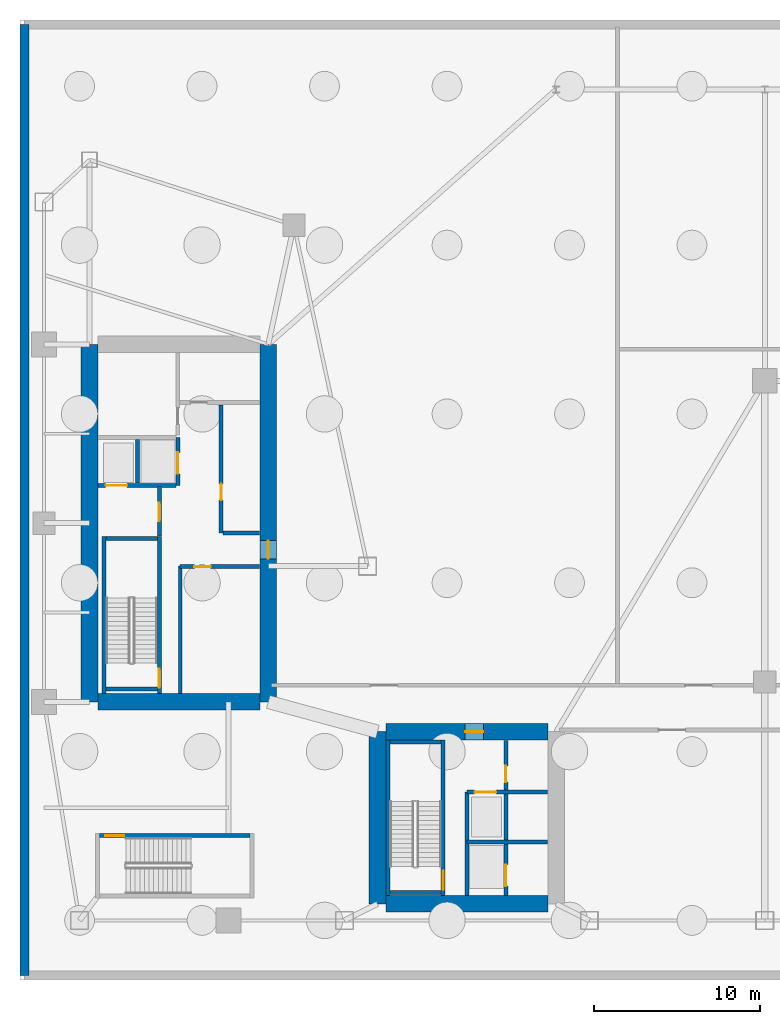
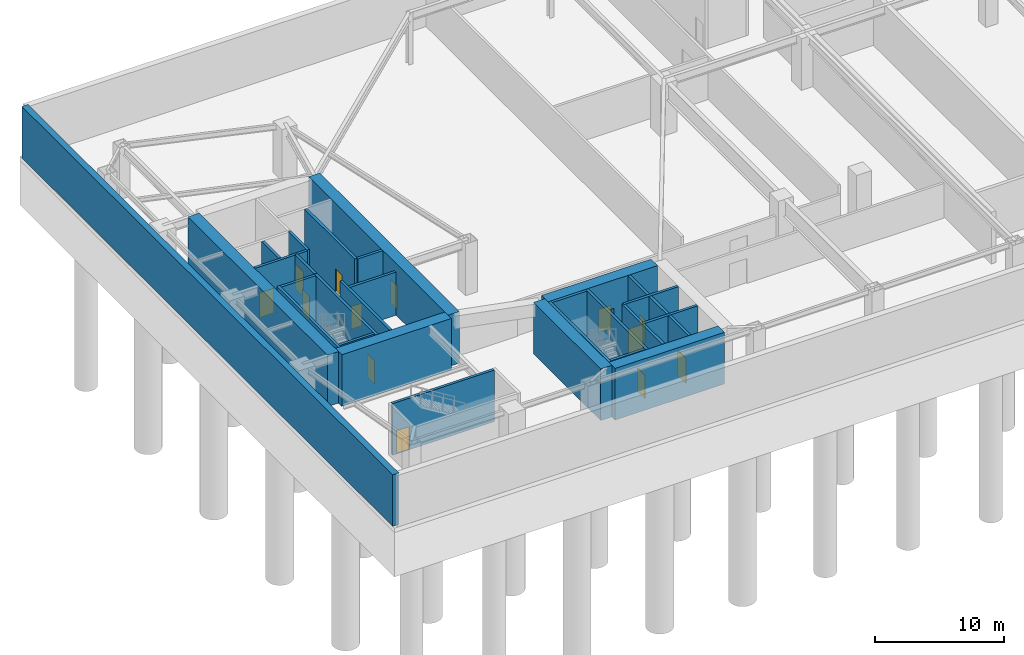
# One storey, part 5 of 12: 28 walls, 13 doors, 13 openings.
"""IFC4 building model written with IfcOpenShell, lengths in metres."""

from ifc_helpers import new_model, si_unit, direction, frame, frame_2d, origin, place, context, subcontext, project, spatial, rectangle, extrude, material, layer, layer_set, type_object, element, fill, save


model = new_model("IFC4")

# Units and contexts
model_context = context("Model", 3, precision=1e-05, world=origin(), true_north=direction((0.0, 1.0)))
body_context = subcontext(model_context, "Body", "Model", "MODEL_VIEW")
ifc_project = project(units=[si_unit("LENGTHUNIT", "METRE"), si_unit("AREAUNIT", "SQUARE_METRE"), si_unit("VOLUMEUNIT", "CUBIC_METRE"), si_unit("PLANEANGLEUNIT", "RADIAN"), si_unit("MASSUNIT", "GRAM", prefix="KILO")], contexts=[model_context])

# Site, building, storey
site_placement = place(None, origin())
site = spatial("IfcSite", under=ifc_project, at=site_placement, CompositionType="ELEMENT")
building_placement = place(site_placement, origin())
building = spatial("IfcBuilding", under=site, at=building_placement, Name="Calvorn Quay Hotel", CompositionType="ELEMENT")
storey_placement = place(building_placement, frame((0.0, 0.0, -10.39990234375)))
storey = spatial("IfcBuildingStorey", under=building, at=storey_placement, Name="B2", CompositionType="ELEMENT", Elevation=-10.39990234375)

# Walls
ifc_material_1 = material(Name="Concrete C45", Category="concrete")
ifc_layer_1 = layer(ifc_material_1, 0.550048828125)
ifc_layer_set_1 = layer_set([ifc_layer_1], Name="WL-BSM-RET-550")
wall_type_1 = type_object("IfcWallType", Name="WL-BSM-RET-550", PredefinedType="USERDEFINED", material=ifc_layer_set_1)
wall_1_placement = place(storey_placement, frame((0.280029296875, 57.719970703125, 0.0), z_axis=(0.0, 0.0, 1.0), x_axis=(0.0, -1.0, 0.0)))
element("IfcWall", 1, at=wall_1_placement, inside=storey, type_object=wall_type_1, Name="B2 Retaining Wall W", ObjectType="RETAINING", PredefinedType="USERDEFINED", context=body_context, shape_type="SweptSolid", body=[
    extrude(rectangle(XDim=57.43994140625, YDim=0.550048828125, at=frame_2d((28.719970703125, 0.0))), origin(), (0.0, 0.0, 1.0), 4.8798828125),
])
ifc_material_2 = material(Name="Concrete C60", Category="concrete")
ifc_layer_2 = layer(ifc_material_2, 1.0)
ifc_layer_set_2 = layer_set([ifc_layer_2], Name="WL-CORE-1000")
wall_type_2 = type_object("IfcWallType", Name="WL-CORE-1000", PredefinedType="SHEAR", material=ifc_layer_set_2)
wall_2_placement = place(storey_placement, frame((4.199951171875, 16.800048828125, 0.0), z_axis=(0.0, 0.0, 1.0), x_axis=(0.0, 1.0, 0.0)))
element("IfcWall", 2, at=wall_2_placement, inside=storey, type_object=wall_type_2, Name="West Core Shear Wall W (B2)", PredefinedType="SHEAR", context=body_context, shape_type="SweptSolid", body=[
    extrude(rectangle(XDim=21.599853515625, YDim=1.0, at=frame_2d((10.7998046875, 0.0))), origin(), (0.0, 0.0, 1.0), 4.8798828125),
])

# Wall, opening, door
wall_3_placement = place(storey_placement, frame((15.0, 16.800048828125, 0.0), z_axis=(0.0, 0.0, 1.0), x_axis=(0.0, 1.0, 0.0)))
wall_3 = element("IfcWall", 3, at=wall_3_placement, inside=storey, type_object=wall_type_2, Name="West Core Shear Wall E (B2)", PredefinedType="SHEAR", context=body_context, shape_type="SweptSolid", body=[
    extrude(rectangle(XDim=21.599853515625, YDim=1.0, at=frame_2d((10.7998046875, 0.0))), origin(), (0.0, 0.0, 1.0), 4.8798828125),
])
opening_1_placement = place(wall_3_placement, frame((8.64990234375, 0.0, 0.0)))
opening_1 = element("IfcOpeningElement", 4, at=opening_1_placement, cuts=wall_3, Name="Opening D-B2-CW1", PredefinedType="OPENING", context=body_context, shape_type="SweptSolid", body=[
    extrude(rectangle(XDim=1.10009765625, YDim=2.199951171875, at=frame_2d((0.550048828125, 1.10009765625))), frame((0.0, 0.510009765625, 0.0), z_axis=(0.0, -1.0, 0.0), x_axis=(1.0, 0.0, 0.0)), (0.0, 0.0, 1.0), 1.02001953125),
])
ifc_material_3 = material(Name="Smoke-Sealed Steel Class A Fire Door", Category="steel")
door_type_1 = type_object("IfcDoorType", Name="DR-FFLOBBY-1100", OperationType="NOTDEFINED", PredefinedType="DOOR", material=ifc_material_3)
door_1_placement = place(opening_1_placement, origin())
door_1 = element("IfcDoor", 5, at=door_1_placement, inside=storey, type_object=door_type_1, Name="West Core Vestibule Fire Door (B2)", OperationType="SINGLE_SWING_LEFT", OverallHeight=2.199951171875, OverallWidth=1.10009765625, PredefinedType="DOOR", context=body_context, shape_type="SweptSolid", body=[
    extrude(rectangle(XDim=1.10009765625, YDim=2.199951171875, at=frame_2d((0.550048828125, 1.10009765625))), frame((0.0, 0.02490234375, 0.0), z_axis=(0.0, -1.0, 0.0), x_axis=(1.0, 0.0, 0.0)), (0.0, 0.0, 1.0), 0.050048828125),
])
fill(opening_1, door_1)

# Walls
wall_4_placement = place(storey_placement, frame((4.699951171875, 16.800048828125, 0.0), z_axis=(0.0, 0.0, 1.0), x_axis=(1.0, 0.0, 0.0)))
element("IfcWall", 6, at=wall_4_placement, inside=storey, type_object=wall_type_2, Name="West Core Shear Wall S (B2)", PredefinedType="SHEAR", context=body_context, shape_type="SweptSolid", body=[
    extrude(rectangle(XDim=9.800048828125, YDim=1.0, at=frame_2d((4.89990234375, 0.0))), origin(), (0.0, 0.0, 1.0), 4.8798828125),
])
wall_5_placement = place(storey_placement, frame((21.60009765625, 4.60009765625, 0.0), z_axis=(0.0, 0.0, 1.0), x_axis=(0.0, 1.0, 0.0)))
element("IfcWall", 7, at=wall_5_placement, inside=storey, type_object=wall_type_2, Name="East Core Shear Wall W (B2)", PredefinedType="SHEAR", context=body_context, shape_type="SweptSolid", body=[
    extrude(rectangle(XDim=10.39990234375, YDim=1.0, at=frame_2d((5.199951171875, 0.0))), origin(), (0.0, 0.0, 1.0), 4.8798828125),
])

# Wall, opening, door
wall_6_placement = place(storey_placement, frame((22.10009765625, 15.0, 0.0), z_axis=(0.0, 0.0, 1.0), x_axis=(1.0, 0.0, 0.0)))
wall_6 = element("IfcWall", 8, at=wall_6_placement, inside=storey, type_object=wall_type_2, Name="East Core Shear Wall N (B2)", PredefinedType="SHEAR", context=body_context, shape_type="SweptSolid", body=[
    extrude(rectangle(XDim=9.7998046875, YDim=1.0, at=frame_2d((4.89990234375, 0.0))), origin(), (0.0, 0.0, 1.0), 4.8798828125),
])
opening_2_placement = place(wall_6_placement, frame((4.800048828125, 0.0, 0.0)))
opening_2 = element("IfcOpeningElement", 9, at=opening_2_placement, cuts=wall_6, Name="Opening D-B2-FLE", PredefinedType="OPENING", context=body_context, shape_type="SweptSolid", body=[
    extrude(rectangle(XDim=1.10009765625, YDim=2.199951171875, at=frame_2d((0.550048828125, 1.10009765625))), frame((0.0, 0.510009765625, 0.0), z_axis=(0.0, -1.0, 0.0), x_axis=(1.0, 0.0, 0.0)), (0.0, 0.0, 1.0), 1.02001953125),
])
door_2_placement = place(opening_2_placement, origin())
door_2 = element("IfcDoor", 10, at=door_2_placement, inside=storey, type_object=door_type_1, Name="East Firefighting Lobby Fire Door (B2)", OperationType="SINGLE_SWING_RIGHT", OverallHeight=2.199951171875, OverallWidth=1.10009765625, PredefinedType="DOOR", context=body_context, shape_type="SweptSolid", body=[
    extrude(rectangle(XDim=1.10009765625, YDim=2.199951171875, at=frame_2d((0.550048828125, 1.10009765625))), frame((0.0, 0.02490234375, 0.0), z_axis=(0.0, -1.0, 0.0), x_axis=(1.0, 0.0, 0.0)), (0.0, 0.0, 1.0), 0.050048828125),
])
fill(opening_2, door_2)

# Walls
wall_7_placement = place(storey_placement, frame((22.10009765625, 4.60009765625, 0.0), z_axis=(0.0, 0.0, 1.0), x_axis=(1.0, 0.0, 0.0)))
element("IfcWall", 11, at=wall_7_placement, inside=storey, type_object=wall_type_2, Name="East Core Shear Wall S (B2)", PredefinedType="SHEAR", context=body_context, shape_type="SweptSolid", body=[
    extrude(rectangle(XDim=9.7998046875, YDim=1.0, at=frame_2d((4.89990234375, 0.0))), origin(), (0.0, 0.0, 1.0), 4.8798828125),
])
ifc_material_4 = material(Name="Autoclaved Aerated Masonry Block", Category="masonry")
ifc_layer_3 = layer(ifc_material_4, 0.219970703125)
ifc_layer_set_3 = layer_set([ifc_layer_3], Name="WL-LOBBY-FIRE-220")
wall_type_3 = type_object("IfcWallType", Name="WL-LOBBY-FIRE-220", PredefinedType="SOLIDWALL", material=ifc_layer_set_3)
wall_8_placement = place(storey_placement, frame((9.679931640625, 17.320068359375, 0.0), z_axis=(0.0, 0.0, 1.0), x_axis=(0.0, 1.0, 0.0)))
element("IfcWall", 12, at=wall_8_placement, inside=storey, type_object=wall_type_3, Name="Partition Wall B2-WL-CWW-STW-HALL-E", PredefinedType="SOLIDWALL", context=body_context, shape_type="SweptSolid", body=[
    extrude(rectangle(XDim=7.679931640625, YDim=0.219970703125, at=frame_2d((3.83984375, 0.0))), origin(), (0.0, 0.0, 1.0), 4.8798828125),
])
ifc_material_5 = material(Name="Concrete C40", Category="concrete")
ifc_layer_4 = layer(ifc_material_5, 0.239990234375)
ifc_layer_set_4 = layer_set([ifc_layer_4], Name="WL-SHAFT-240")
wall_type_4 = type_object("IfcWallType", Name="WL-SHAFT-240", PredefinedType="SOLIDWALL", material=ifc_layer_set_4)
wall_9_placement = place(storey_placement, frame((5.080078125, 17.300048828125, 0.0), z_axis=(0.0, 0.0, 1.0), x_axis=(0.0, 1.0, 0.0)))
element("IfcWall", 13, at=wall_9_placement, inside=storey, type_object=wall_type_4, Name="Stair STW Shaft Wall W (B2)", PredefinedType="SOLIDWALL", context=body_context, shape_type="SweptSolid", body=[
    extrude(rectangle(XDim=9.489990234375, YDim=0.239990234375, at=frame_2d((4.7451171875, 0.0))), origin(), (0.0, 0.0, 1.0), 4.8798828125),
])

# Wall, opening, door
wall_10_placement = place(storey_placement, frame((8.419921875, 17.300048828125, 0.0), z_axis=(0.0, 0.0, 1.0), x_axis=(0.0, 1.0, 0.0)))
wall_10 = element("IfcWall", 14, at=wall_10_placement, inside=storey, type_object=wall_type_4, Name="Stair STW Shaft Wall E (B2)", PredefinedType="SOLIDWALL", context=body_context, shape_type="SweptSolid", body=[
    extrude(rectangle(XDim=9.489990234375, YDim=0.239990234375, at=frame_2d((4.7451171875, 0.0))), origin(), (0.0, 0.0, 1.0), 4.8798828125),
])
opening_3_placement = place(wall_10_placement, frame((0.35009765625, 0.0, 0.0)))
opening_3 = element("IfcOpeningElement", 15, at=opening_3_placement, cuts=wall_10, Name="Opening D-B2-STW", PredefinedType="OPENING", context=body_context, shape_type="SweptSolid", body=[
    extrude(rectangle(XDim=1.14990234375, YDim=2.199951171875, at=frame_2d((0.574951171875, 1.10009765625))), frame((0.0, 0.1298828125, 0.0), z_axis=(0.0, -1.0, 0.0), x_axis=(1.0, 0.0, 0.0)), (0.0, 0.0, 1.0), 0.260009765625),
])
ifc_material_6 = material(Name="Galvanised Steel Class A Fire Door", Category="steel")
door_type_2 = type_object("IfcDoorType", Name="DR-STAIR-SMOKE-1150", OperationType="NOTDEFINED", PredefinedType="DOOR", material=ifc_material_6)
door_3_placement = place(opening_3_placement, origin())
door_3 = element("IfcDoor", 16, at=door_3_placement, inside=storey, type_object=door_type_2, Name="Stair ST-W Fire Door (B2)", OperationType="SINGLE_SWING_LEFT", OverallHeight=2.199951171875, OverallWidth=1.14990234375, PredefinedType="DOOR", context=body_context, shape_type="SweptSolid", body=[
    extrude(rectangle(XDim=1.14990234375, YDim=2.199951171875, at=frame_2d((0.574951171875, 1.10009765625))), frame((0.0, 0.02490234375, 0.0), z_axis=(0.0, -1.0, 0.0), x_axis=(1.0, 0.0, 0.0)), (0.0, 0.0, 1.0), 0.050048828125),
])
fill(opening_3, door_3)

# Walls
for number, where, z_axis, x_axis, name in (
    (17, (5.199951171875, 17.580078125, 0.0), (0.0, 0.0, 1.0), (1.0, 0.0, 0.0), "Stair STW Shaft Wall S (B2)"),
    (18, (5.199951171875, 26.669921875, 0.0), (0.0, 0.0, 1.0), (1.0, 0.0, 0.0), "Stair STW Shaft Wall N (B2)"),
):
    element("IfcWall", number, at=place(storey_placement, frame(where, z_axis=z_axis, x_axis=x_axis)), inside=storey, type_object=wall_type_4, Name=name, PredefinedType="SOLIDWALL", context=body_context, shape_type="SweptSolid", body=[
        extrude(rectangle(XDim=3.10009765625, YDim=0.239990234375, at=frame_2d((1.550048828125, 0.0))), origin(), (0.0, 0.0, 1.0), 4.8798828125),
    ])
wall_11_placement = place(storey_placement, frame((22.22998046875, 5.10009765625, 0.0), z_axis=(0.0, 0.0, 1.0), x_axis=(0.0, 1.0, 0.0)))
element("IfcWall", 19, at=wall_11_placement, inside=storey, type_object=wall_type_4, Name="Stair STE Shaft Wall W (B2)", PredefinedType="SOLIDWALL", context=body_context, shape_type="SweptSolid", body=[
    extrude(rectangle(XDim=9.389892578125, YDim=0.239990234375, at=frame_2d((4.69482421875, 0.0))), origin(), (0.0, 0.0, 1.0), 4.8798828125),
])

# Wall, opening, door
wall_12_placement = place(storey_placement, frame((25.570068359375, 5.10009765625, 0.0), z_axis=(0.0, 0.0, 1.0), x_axis=(0.0, 1.0, 0.0)))
wall_12 = element("IfcWall", 20, at=wall_12_placement, inside=storey, type_object=wall_type_4, Name="Stair STE Shaft Wall E (B2)", PredefinedType="SOLIDWALL", context=body_context, shape_type="SweptSolid", body=[
    extrude(rectangle(XDim=9.389892578125, YDim=0.239990234375, at=frame_2d((4.69482421875, 0.0))), origin(), (0.0, 0.0, 1.0), 4.8798828125),
])
opening_4_placement = place(wall_12_placement, frame((0.35009765625, 0.0, 0.0)))
opening_4 = element("IfcOpeningElement", 21, at=opening_4_placement, cuts=wall_12, Name="Opening D-B2-STE", PredefinedType="OPENING", context=body_context, shape_type="SweptSolid", body=[
    extrude(rectangle(XDim=1.14990234375, YDim=2.199951171875, at=frame_2d((0.574951171875, 1.10009765625))), frame((0.0, 0.1298828125, 0.0), z_axis=(0.0, -1.0, 0.0), x_axis=(1.0, 0.0, 0.0)), (0.0, 0.0, 1.0), 0.260009765625),
])
door_4_placement = place(opening_4_placement, origin())
door_4 = element("IfcDoor", 22, at=door_4_placement, inside=storey, type_object=door_type_2, Name="Stair ST-E Fire Door (B2)", OperationType="SINGLE_SWING_RIGHT", OverallHeight=2.199951171875, OverallWidth=1.14990234375, PredefinedType="DOOR", context=body_context, shape_type="SweptSolid", body=[
    extrude(rectangle(XDim=1.14990234375, YDim=2.199951171875, at=frame_2d((0.574951171875, 1.10009765625))), frame((0.0, 0.02490234375, 0.0), z_axis=(0.0, -1.0, 0.0), x_axis=(1.0, 0.0, 0.0)), (0.0, 0.0, 1.0), 0.050048828125),
])
fill(opening_4, door_4)

# Walls
for number, where, z_axis, x_axis, name in (
    (23, (22.35009765625, 5.280029296875, 0.0), (0.0, 0.0, 1.0), (1.0, 0.0, 0.0), "Stair STE Shaft Wall S (B2)"),
    (24, (22.35009765625, 14.3701171875, 0.0), (0.0, 0.0, 1.0), (1.0, 0.0, 0.0), "Stair STE Shaft Wall N (B2)"),
):
    element("IfcWall", number, at=place(storey_placement, frame(where, z_axis=z_axis, x_axis=x_axis)), inside=storey, type_object=wall_type_4, Name=name, PredefinedType="SOLIDWALL", context=body_context, shape_type="SweptSolid", body=[
        extrude(rectangle(XDim=3.099853515625, YDim=0.239990234375, at=frame_2d((1.5498046875, 0.0))), origin(), (0.0, 0.0, 1.0), 4.8798828125),
    ])

# Wall, opening, door
wall_13_placement = place(storey_placement, frame((4.800048828125, 8.719970703125, 0.0), z_axis=(0.0, 0.0, 1.0), x_axis=(1.0, 0.0, 0.0)))
wall_13 = element("IfcWall", 25, at=wall_13_placement, inside=storey, type_object=wall_type_4, Name="Stair STP2 Shaft Wall N (B2)", PredefinedType="SOLIDWALL", context=body_context, shape_type="SweptSolid", body=[
    extrude(rectangle(XDim=9.099853515625, YDim=0.239990234375, at=frame_2d((4.5498046875, 0.0))), origin(), (0.0, 0.0, 1.0), 4.8798828125),
])
opening_5_placement = place(wall_13_placement, frame((0.35009765625, 0.0, 0.0)))
opening_5 = element("IfcOpeningElement", 26, at=opening_5_placement, cuts=wall_13, Name="Opening D-B2-STP2", PredefinedType="OPENING", context=body_context, shape_type="SweptSolid", body=[
    extrude(rectangle(XDim=1.14990234375, YDim=2.199951171875, at=frame_2d((0.574951171875, 1.10009765625))), frame((0.0, 0.1298828125, 0.0), z_axis=(0.0, -1.0, 0.0), x_axis=(1.0, 0.0, 0.0)), (0.0, 0.0, 1.0), 0.260009765625),
])
door_5_placement = place(opening_5_placement, origin())
door_5 = element("IfcDoor", 27, at=door_5_placement, inside=storey, type_object=door_type_2, Name="Podium Stair ST-P2 Fire Door (B2)", OperationType="SINGLE_SWING_RIGHT", OverallHeight=2.199951171875, OverallWidth=1.14990234375, PredefinedType="DOOR", context=body_context, shape_type="SweptSolid", body=[
    extrude(rectangle(XDim=1.14990234375, YDim=2.199951171875, at=frame_2d((0.574951171875, 1.10009765625))), frame((0.0, 0.02490234375, 0.0), z_axis=(0.0, -1.0, 0.0), x_axis=(1.0, 0.0, 0.0)), (0.0, 0.0, 1.0), 0.050048828125),
])
fill(opening_5, door_5)

wall_14_placement = place(storey_placement, frame((8.419921875, 26.820068359375, 0.0), z_axis=(0.0, 0.0, 1.0), x_axis=(0.0, 1.0, 0.0)))
wall_14 = element("IfcWall", 28, at=wall_14_placement, inside=storey, type_object=wall_type_4, Name="Partition Wall B2-WL-CWW-FFL-E", PredefinedType="SOLIDWALL", context=body_context, shape_type="SweptSolid", body=[
    extrude(rectangle(XDim=3.0, YDim=0.239990234375, at=frame_2d((1.5, 0.0))), origin(), (0.0, 0.0, 1.0), 4.8798828125),
])
opening_6_placement = place(wall_14_placement, frame((0.89990234375, 0.0, 0.0)))
opening_6 = element("IfcOpeningElement", 29, at=opening_6_placement, cuts=wall_14, Name="Opening D-B2-FLW", PredefinedType="OPENING", context=body_context, shape_type="SweptSolid", body=[
    extrude(rectangle(XDim=1.10009765625, YDim=2.199951171875, at=frame_2d((0.550048828125, 1.10009765625))), frame((0.0, 0.1298828125, 0.0), z_axis=(0.0, -1.0, 0.0), x_axis=(1.0, 0.0, 0.0)), (0.0, 0.0, 1.0), 0.260009765625),
])
door_6_placement = place(opening_6_placement, origin())
door_6 = element("IfcDoor", 30, at=door_6_placement, inside=storey, type_object=door_type_1, Name="West Firefighting Lobby Fire Door (B2)", OperationType="SINGLE_SWING_RIGHT", OverallHeight=2.199951171875, OverallWidth=1.10009765625, PredefinedType="DOOR", context=body_context, shape_type="SweptSolid", body=[
    extrude(rectangle(XDim=1.10009765625, YDim=2.199951171875, at=frame_2d((0.550048828125, 1.10009765625))), frame((0.0, 0.02490234375, 0.0), z_axis=(0.0, -1.0, 0.0), x_axis=(1.0, 0.0, 0.0)), (0.0, 0.0, 1.0), 0.050048828125),
])
fill(opening_6, door_6)

wall_15_placement = place(storey_placement, frame((4.719970703125, 29.8798828125, 0.0), z_axis=(0.0, 0.0, 1.0), x_axis=(1.0, 0.0, 0.0)))
wall_15 = element("IfcWall", 31, at=wall_15_placement, inside=storey, type_object=wall_type_4, Name="Partition Wall B2-WL-CWW-FLW-S", PredefinedType="SOLIDWALL", context=body_context, shape_type="SweptSolid", body=[
    extrude(rectangle(XDim=4.699951171875, YDim=0.239990234375, at=frame_2d((2.35009765625, 0.0))), origin(), (0.0, 0.0, 1.0), 4.8798828125),
])
opening_7_placement = place(wall_15_placement, frame((0.449951171875, 0.0, 0.0)))
opening_7 = element("IfcOpeningElement", 32, at=opening_7_placement, cuts=wall_15, Name="Opening LD-B2-FLW1", PredefinedType="OPENING", context=body_context, shape_type="SweptSolid", body=[
    extrude(rectangle(XDim=1.300048828125, YDim=2.35009765625, at=frame_2d((0.64990234375, 1.175048828125))), frame((0.0, 0.1298828125, 0.0), z_axis=(0.0, -1.0, 0.0), x_axis=(1.0, 0.0, 0.0)), (0.0, 0.0, 1.0), 0.260009765625),
])
ifc_material_7 = material(Name="Champagne-Bronze Sliding Express Lift Landing Door")
door_type_3 = type_object("IfcDoorType", Name="DR-LIFT-SHUTTLE-1300", OperationType="NOTDEFINED", PredefinedType="DOOR", material=ifc_material_7)
door_7_placement = place(opening_7_placement, origin())
door_7 = element("IfcDoor", 33, at=door_7_placement, inside=storey, type_object=door_type_3, Name="Firefighting Lift FL-W1 Landing Door (B2)", OperationType="DOUBLE_DOOR_SLIDING", OverallHeight=2.35009765625, OverallWidth=1.300048828125, PredefinedType="DOOR", context=body_context, shape_type="SweptSolid", body=[
    extrude(rectangle(XDim=1.300048828125, YDim=2.35009765625, at=frame_2d((0.64990234375, 1.175048828125))), frame((0.0, 0.02490234375, 0.0), z_axis=(0.0, -1.0, 0.0), x_axis=(1.0, 0.0, 0.0)), (0.0, 0.0, 1.0), 0.050048828125),
])
fill(opening_7, door_7)

# Wall
wall_16_placement = place(storey_placement, frame((7.10009765625, 30.02001953125, 0.0), z_axis=(0.0, 0.0, 1.0), x_axis=(0.0, 1.0, 0.0)))
element("IfcWall", 34, at=wall_16_placement, inside=storey, type_object=wall_type_4, Name="Partition Wall B2-WL-CWW-FLW-DIV", PredefinedType="SOLIDWALL", context=body_context, shape_type="SweptSolid", body=[
    extrude(rectangle(XDim=2.6298828125, YDim=0.239990234375, at=frame_2d((1.31494140625, 0.0))), origin(), (0.0, 0.0, 1.0), 4.8798828125),
])

# Wall, opening, door
wall_17_placement = place(storey_placement, frame((9.5400390625, 29.8798828125, 0.0), z_axis=(0.0, 0.0, 1.0), x_axis=(0.0, 1.0, 0.0)))
wall_17 = element("IfcWall", 35, at=wall_17_placement, inside=storey, type_object=wall_type_4, Name="Partition Wall B2-WL-CWW-SLW-E", PredefinedType="SOLIDWALL", context=body_context, shape_type="SweptSolid", body=[
    extrude(rectangle(XDim=2.900146484375, YDim=0.239990234375, at=frame_2d((1.4501953125, 0.0))), origin(), (0.0, 0.0, 1.0), 4.8798828125),
])
opening_8_placement = place(wall_17_placement, frame((0.699951171875, 0.0, 0.0)))
opening_8 = element("IfcOpeningElement", 36, at=opening_8_placement, cuts=wall_17, Name="Opening LD-B2-SLW1", PredefinedType="OPENING", context=body_context, shape_type="SweptSolid", body=[
    extrude(rectangle(XDim=1.300048828125, YDim=2.35009765625, at=frame_2d((0.64990234375, 1.175048828125))), frame((0.0, 0.1298828125, 0.0), z_axis=(0.0, -1.0, 0.0), x_axis=(1.0, 0.0, 0.0)), (0.0, 0.0, 1.0), 0.260009765625),
])
door_8_placement = place(opening_8_placement, origin())
door_8 = element("IfcDoor", 37, at=door_8_placement, inside=storey, type_object=door_type_3, Name="Service Lift SL-W1 Landing Door (B2)", OperationType="DOUBLE_DOOR_SLIDING", OverallHeight=2.35009765625, OverallWidth=1.300048828125, PredefinedType="DOOR", context=body_context, shape_type="SweptSolid", body=[
    extrude(rectangle(XDim=1.300048828125, YDim=2.35009765625, at=frame_2d((0.64990234375, 1.175048828125))), frame((0.0, 0.02490234375, 0.0), z_axis=(0.0, -1.0, 0.0), x_axis=(1.0, 0.0, 0.0)), (0.0, 0.0, 1.0), 0.050048828125),
])
fill(opening_8, door_8)

wall_18_placement = place(storey_placement, frame((9.679931640625, 24.969970703125, 0.0), z_axis=(0.0, 0.0, 1.0), x_axis=(1.0, 0.0, 0.0)))
wall_18 = element("IfcWall", 38, at=wall_18_placement, inside=storey, type_object=wall_type_4, Name="Partition Wall B2-WL-CWW-PLL-N", PredefinedType="SOLIDWALL", context=body_context, shape_type="SweptSolid", body=[
    extrude(rectangle(XDim=4.800048828125, YDim=0.239990234375, at=frame_2d((2.39990234375, 0.0))), origin(), (0.0, 0.0, 1.0), 4.079833984375),
])
opening_9_placement = place(wall_18_placement, frame((0.85009765625, 0.0, 0.0)))
opening_9 = element("IfcOpeningElement", 39, at=opening_9_placement, cuts=wall_18, Name="Opening D-B2-BPN", PredefinedType="OPENING", context=body_context, shape_type="SweptSolid", body=[
    extrude(rectangle(XDim=0.97998046875, YDim=2.14990234375, at=frame_2d((0.489990234375, 1.074951171875))), frame((0.0, 0.1298828125, 0.0), z_axis=(0.0, -1.0, 0.0), x_axis=(1.0, 0.0, 0.0)), (0.0, 0.0, 1.0), 0.260009765625),
])
ifc_material_8 = material(Name="Painted Steel Housekeeping/Riser Fire Door", Category="steel")
door_type_4 = type_object("IfcDoorType", Name="DR-SERVICE-980", OperationType="NOTDEFINED", PredefinedType="DOOR", material=ifc_material_8)
door_9_placement = place(opening_9_placement, origin())
door_9 = element("IfcDoor", 40, at=door_9_placement, inside=storey, type_object=door_type_4, Name="Core Pit Plant Door (B2)", OperationType="SINGLE_SWING_LEFT", OverallHeight=2.14990234375, OverallWidth=0.97998046875, PredefinedType="DOOR", context=body_context, shape_type="SweptSolid", body=[
    extrude(rectangle(XDim=0.97998046875, YDim=2.14990234375, at=frame_2d((0.489990234375, 1.074951171875))), frame((0.0, 0.02490234375, 0.0), z_axis=(0.0, -1.0, 0.0), x_axis=(1.0, 0.0, 0.0)), (0.0, 0.0, 1.0), 0.050048828125),
])
fill(opening_9, door_9)

# Wall
wall_19_placement = place(storey_placement, frame((12.25, 27.0, 0.0), z_axis=(0.0, 0.0, 1.0), x_axis=(1.0, 0.0, 0.0)))
element("IfcWall", 41, at=wall_19_placement, inside=storey, type_object=wall_type_4, Name="Partition Wall B2-WL-CWW-PLM-S", PredefinedType="SOLIDWALL", context=body_context, shape_type="SweptSolid", body=[
    extrude(rectangle(XDim=2.22998046875, YDim=0.239990234375, at=frame_2d((1.114990234375, 0.0))), origin(), (0.0, 0.0, 1.0), 4.8798828125),
])

# Wall, opening, door
wall_20_placement = place(storey_placement, frame((12.14990234375, 27.0, 0.0), z_axis=(0.0, 0.0, 1.0), x_axis=(0.0, 1.0, 0.0)))
wall_20 = element("IfcWall", 42, at=wall_20_placement, inside=storey, type_object=wall_type_4, Name="Partition Wall B2-WL-CWW-PLM-W", PredefinedType="SOLIDWALL", context=body_context, shape_type="SweptSolid", body=[
    extrude(rectangle(XDim=7.75, YDim=0.239990234375, at=frame_2d((3.875, 0.0))), origin(), (0.0, 0.0, 1.0), 4.8798828125),
])
opening_10_placement = place(wall_20_placement, frame((2.0, 0.0, 0.0)))
opening_10 = element("IfcOpeningElement", 43, at=opening_10_placement, cuts=wall_20, Name="Opening D-B2-BMP", PredefinedType="OPENING", context=body_context, shape_type="SweptSolid", body=[
    extrude(rectangle(XDim=0.97998046875, YDim=2.14990234375, at=frame_2d((0.489990234375, 1.074951171875))), frame((0.0, 0.1298828125, 0.0), z_axis=(0.0, -1.0, 0.0), x_axis=(1.0, 0.0, 0.0)), (0.0, 0.0, 1.0), 0.260009765625),
])
door_10_placement = place(opening_10_placement, origin())
door_10 = element("IfcDoor", 44, at=door_10_placement, inside=storey, type_object=door_type_4, Name="Mid-Rise Pit Door (B2)", OperationType="SINGLE_SWING_LEFT", OverallHeight=2.14990234375, OverallWidth=0.97998046875, PredefinedType="DOOR", context=body_context, shape_type="SweptSolid", body=[
    extrude(rectangle(XDim=0.97998046875, YDim=2.14990234375, at=frame_2d((0.489990234375, 1.074951171875))), frame((0.0, 0.02490234375, 0.0), z_axis=(0.0, -1.0, 0.0), x_axis=(1.0, 0.0, 0.0)), (0.0, 0.0, 1.0), 0.050048828125),
])
fill(opening_10, door_10)

# Wall
wall_21_placement = place(storey_placement, frame((27.02001953125, 5.1201171875, 0.0), z_axis=(0.0, 0.0, 1.0), x_axis=(0.0, 1.0, 0.0)))
element("IfcWall", 45, at=wall_21_placement, inside=storey, type_object=wall_type_4, Name="Partition Wall B2-WL-CWE-SH-W", PredefinedType="SOLIDWALL", context=body_context, shape_type="SweptSolid", body=[
    extrude(rectangle(XDim=6.22998046875, YDim=0.239990234375, at=frame_2d((3.114990234375, 0.0))), origin(), (0.0, 0.0, 1.0), 4.8798828125),
])

# Wall, opening, door
wall_22_placement = place(storey_placement, frame((27.02001953125, 11.35009765625, 0.0), z_axis=(0.0, 0.0, 1.0), x_axis=(1.0, 0.0, 0.0)))
wall_22 = element("IfcWall", 46, at=wall_22_placement, inside=storey, type_object=wall_type_4, Name="Partition Wall B2-WL-CWE-FFL-S", PredefinedType="SOLIDWALL", context=body_context, shape_type="SweptSolid", body=[
    extrude(rectangle(XDim=4.85986328125, YDim=0.239990234375, at=frame_2d((2.429931640625, 0.0))), origin(), (0.0, 0.0, 1.0), 4.8798828125),
])
opening_11_placement = place(wall_22_placement, frame((0.449951171875, 0.0, 0.0)))
opening_11 = element("IfcOpeningElement", 47, at=opening_11_placement, cuts=wall_22, Name="Opening LD-B2-FLE1", PredefinedType="OPENING", context=body_context, shape_type="SweptSolid", body=[
    extrude(rectangle(XDim=1.300048828125, YDim=2.35009765625, at=frame_2d((0.64990234375, 1.175048828125))), frame((0.0, 0.1298828125, 0.0), z_axis=(0.0, -1.0, 0.0), x_axis=(1.0, 0.0, 0.0)), (0.0, 0.0, 1.0), 0.260009765625),
])
door_11_placement = place(opening_11_placement, origin())
door_11 = element("IfcDoor", 48, at=door_11_placement, inside=storey, type_object=door_type_3, Name="Firefighting Lift FL-E1 Landing Door (B2)", OperationType="DOUBLE_DOOR_SLIDING", OverallHeight=2.35009765625, OverallWidth=1.300048828125, PredefinedType="DOOR", context=body_context, shape_type="SweptSolid", body=[
    extrude(rectangle(XDim=1.300048828125, YDim=2.35009765625, at=frame_2d((0.64990234375, 1.175048828125))), frame((0.0, 0.02490234375, 0.0), z_axis=(0.0, -1.0, 0.0), x_axis=(1.0, 0.0, 0.0)), (0.0, 0.0, 1.0), 0.050048828125),
])
fill(opening_11, door_11)

# Wall
wall_23_placement = place(storey_placement, frame((27.02001953125, 8.35009765625, 0.0), z_axis=(0.0, 0.0, 1.0), x_axis=(1.0, 0.0, 0.0)))
element("IfcWall", 49, at=wall_23_placement, inside=storey, type_object=wall_type_4, Name="Partition Wall B2-WL-CWE-SL-N", PredefinedType="SOLIDWALL", context=body_context, shape_type="SweptSolid", body=[
    extrude(rectangle(XDim=4.85986328125, YDim=0.239990234375, at=frame_2d((2.429931640625, 0.0))), origin(), (0.0, 0.0, 1.0), 4.8798828125),
])

# Wall, openings, doors
wall_24_placement = place(storey_placement, frame((29.35009765625, 5.1201171875, 0.0), z_axis=(0.0, 0.0, 1.0), x_axis=(0.0, 1.0, 0.0)))
wall_24 = element("IfcWall", 50, at=wall_24_placement, inside=storey, type_object=wall_type_4, Name="Partition Wall B2-WL-CWE-OB-W", PredefinedType="SOLIDWALL", context=body_context, shape_type="SweptSolid", body=[
    extrude(rectangle(XDim=9.35986328125, YDim=0.239990234375, at=frame_2d((4.679931640625, 0.0))), origin(), (0.0, 0.0, 1.0), 4.8798828125),
])
opening_12_placement = place(wall_24_placement, frame((0.550048828125, 0.0, 0.0)))
opening_12 = element("IfcOpeningElement", 51, at=opening_12_placement, cuts=wall_24, Name="Opening LD-B2-SLEI", PredefinedType="OPENING", context=body_context, shape_type="SweptSolid", body=[
    extrude(rectangle(XDim=1.300048828125, YDim=2.35009765625, at=frame_2d((0.64990234375, 1.175048828125))), frame((0.0, 0.1298828125, 0.0), z_axis=(0.0, -1.0, 0.0), x_axis=(1.0, 0.0, 0.0)), (0.0, 0.0, 1.0), 0.260009765625),
])
opening_13_placement = place(wall_24_placement, frame((6.830078125, 0.0, 0.0)))
opening_13 = element("IfcOpeningElement", 52, at=opening_13_placement, cuts=wall_24, Name="Opening D-B2-OBP", PredefinedType="OPENING", context=body_context, shape_type="SweptSolid", body=[
    extrude(rectangle(XDim=0.97998046875, YDim=2.14990234375, at=frame_2d((0.489990234375, 1.074951171875))), frame((0.0, 0.1298828125, 0.0), z_axis=(0.0, -1.0, 0.0), x_axis=(1.0, 0.0, 0.0)), (0.0, 0.0, 1.0), 0.260009765625),
])
door_12_placement = place(opening_12_placement, origin())
door_12 = element("IfcDoor", 53, at=door_12_placement, inside=storey, type_object=door_type_3, Name="Service Lift SL-E1 Landing Door (B2)", OperationType="DOUBLE_DOOR_SLIDING", OverallHeight=2.35009765625, OverallWidth=1.300048828125, PredefinedType="DOOR", context=body_context, shape_type="SweptSolid", body=[
    extrude(rectangle(XDim=1.300048828125, YDim=2.35009765625, at=frame_2d((0.64990234375, 1.175048828125))), frame((0.0, 0.02490234375, 0.0), z_axis=(0.0, -1.0, 0.0), x_axis=(1.0, 0.0, 0.0)), (0.0, 0.0, 1.0), 0.050048828125),
])
fill(opening_12, door_12)
door_13_placement = place(opening_13_placement, origin())
door_13 = element("IfcDoor", 54, at=door_13_placement, inside=storey, type_object=door_type_4, Name="Shuttle Pit Plant Door (B2)", OperationType="SINGLE_SWING_LEFT", OverallHeight=2.14990234375, OverallWidth=0.97998046875, PredefinedType="DOOR", context=body_context, shape_type="SweptSolid", body=[
    extrude(rectangle(XDim=0.97998046875, YDim=2.14990234375, at=frame_2d((0.489990234375, 1.074951171875))), frame((0.0, 0.02490234375, 0.0), z_axis=(0.0, -1.0, 0.0), x_axis=(1.0, 0.0, 0.0)), (0.0, 0.0, 1.0), 0.050048828125),
])
fill(opening_13, door_13)

save(model, "model.ifc")
